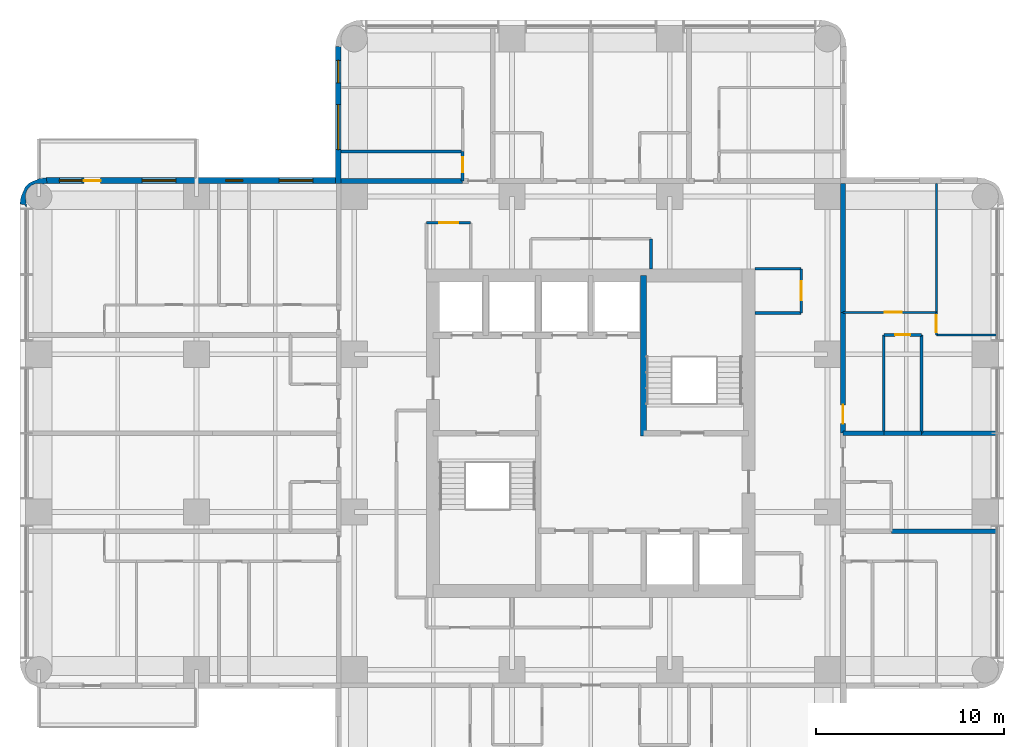
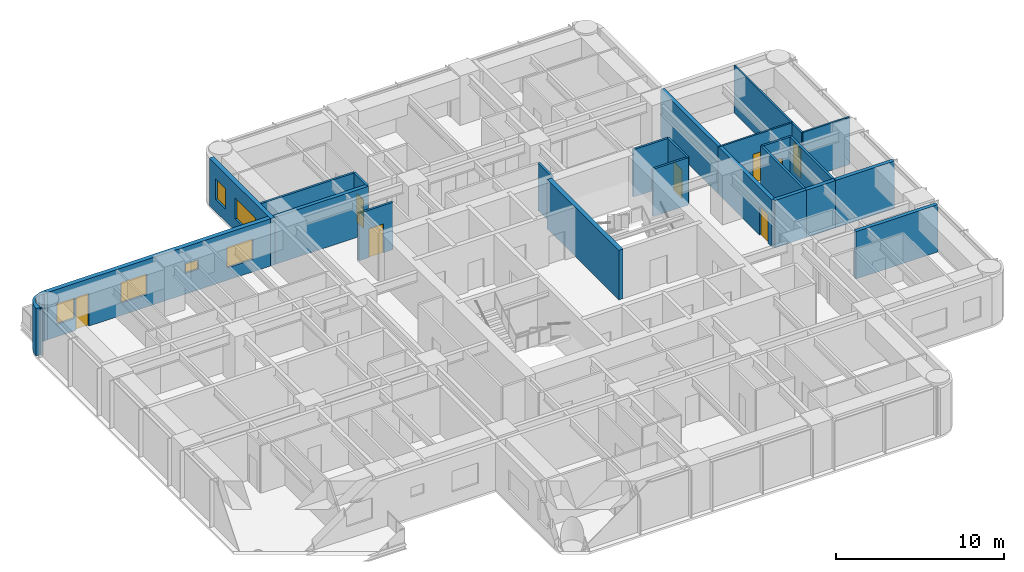
# One storey, part 8 of 11: 25 walls, 8 doors, 6 windows, 14 openings.
"""IFC4 building model written with IfcOpenShell, lengths in metres."""

from ifc_helpers import new_model, si_unit, direction, frame, frame_2d, origin, place, context, subcontext, project, spatial, polyline, rectangle, outline, extrude, material, layer, layer_set, type_object, element, fill, save


model = new_model("IFC4")

# Units and contexts
model_context = context("Model", 3, precision=1e-05, world=origin(), true_north=direction((0.0, 1.0)))
body_context = subcontext(model_context, "Body", "Model", "MODEL_VIEW")
ifc_project = project(units=[si_unit("LENGTHUNIT", "METRE"), si_unit("AREAUNIT", "SQUARE_METRE"), si_unit("VOLUMEUNIT", "CUBIC_METRE"), si_unit("PLANEANGLEUNIT", "RADIAN"), si_unit("MASSUNIT", "GRAM", prefix="KILO")], contexts=[model_context])

# Site, building, storey
site_placement = place(None, origin())
site = spatial("IfcSite", under=ifc_project, at=site_placement, CompositionType="ELEMENT")
building_placement = place(site_placement, origin())
building = spatial("IfcBuilding", under=site, at=building_placement, Name="Torre Alcanfor", CompositionType="ELEMENT")
storey_placement = place(building_placement, frame((0.0, 0.0, 219.300048828125)))
storey = spatial("IfcBuildingStorey", under=building, at=storey_placement, Name="L57", CompositionType="ELEMENT", Elevation=219.300048828125)

# Wall
ifc_material_1 = material(Name="Concrete block masonry, hollow blocks NMX-C-404 9 MPa", Category="masonry")
ifc_layer_1 = layer(ifc_material_1, 0.25)
ifc_layer_set_1 = layer_set([ifc_layer_1], Name="Apartment entrance wall 250 EI 60")
wall_type_1 = type_object("IfcWallType", Name="Apartment entrance wall 250 EI 60", PredefinedType="PARTITIONING", material=ifc_layer_set_1)
wall_1_placement = place(storey_placement, frame((16.10009765625, 42.824951171875, 0.0), z_axis=(0.0, 0.0, 1.0), x_axis=(1.0, 0.0, 0.0)))
element("IfcWall", 1, at=wall_1_placement, inside=storey, type_object=wall_type_1, Name="Partition L57-CORR / L57-N1B-BATH", PredefinedType="PARTITIONING", context=body_context, shape_type="SweptSolid", body=[
    extrude(rectangle(XDim=6.470947265625, YDim=0.25, at=frame_2d((3.2353515625, 0.0))), origin(), (0.0, 0.0, 1.0), 3.449951171875),
])

# Wall, opening, door
wall_2_placement = place(storey_placement, frame((42.824951171875, 35.8291015625, 0.0), z_axis=(0.0, 0.0, 1.0), x_axis=(0.0, -1.0, 0.0)))
wall_2 = element("IfcWall", 2, at=wall_2_placement, inside=storey, type_object=wall_type_1, Name="Partition L57-CORR / L57-E1-LIVING", PredefinedType="PARTITIONING", context=body_context, shape_type="SweptSolid", body=[
    extrude(rectangle(XDim=6.42919921875, YDim=0.25, at=frame_2d((3.214599609375, 0.0))), origin(), (0.0, 0.0, 1.0), 3.449951171875),
])
opening_1_placement = place(wall_2_placement, frame((4.928955078125, 0.0, 0.0)))
opening_1 = element("IfcOpeningElement", 3, at=opening_1_placement, cuts=wall_2, Name="Opening D-A1", PredefinedType="OPENING", context=body_context, shape_type="SweptSolid", body=[
    extrude(rectangle(XDim=1.0, YDim=2.10009765625, at=frame_2d((0.5, 1.050048828125))), frame((0.0, 0.135009765625, 0.0), z_axis=(0.0, -1.0, 0.0), x_axis=(1.0, 0.0, 0.0)), (0.0, 0.0, 1.0), 0.27001953125),
])
ifc_material_2 = material(Name="Galvanised steel sheet ASTM A653", Category="steel")
door_type_1 = type_object("IfcDoorType", Name="Apartment entrance door FD60 1000x2100", OperationType="SINGLE_SWING_LEFT", PredefinedType="DOOR", material=ifc_material_2)
door_1_placement = place(opening_1_placement, origin())
door_1 = element("IfcDoor", 4, at=door_1_placement, inside=storey, type_object=door_type_1, Name="Apartment entrance L57-E1", OperationType="SINGLE_SWING_RIGHT", OverallHeight=2.10009765625, OverallWidth=1.0, PredefinedType="DOOR", context=body_context, shape_type="SweptSolid", body=[
    extrude(rectangle(XDim=1.0, YDim=2.10009765625, at=frame_2d((0.5, 1.050048828125))), frame((0.0, 0.02490234375, 0.0), z_axis=(0.0, -1.0, 0.0), x_axis=(1.0, 0.0, 0.0)), (0.0, 0.0, 1.0), 0.050048828125),
])
fill(opening_1, door_1)

# Wall
wall_3_placement = place(storey_placement, frame((42.824951171875, 42.699951171875, 0.0), z_axis=(0.0, 0.0, 1.0), x_axis=(0.0, -1.0, 0.0)))
element("IfcWall", 5, at=wall_3_placement, inside=storey, type_object=wall_type_1, Name="Partition L57-CORR / L57-E1-BED2", PredefinedType="PARTITIONING", context=body_context, shape_type="SweptSolid", body=[
    extrude(rectangle(XDim=6.870849609375, YDim=0.25, at=frame_2d((3.435546875, 0.0))), origin(), (0.0, 0.0, 1.0), 3.449951171875),
])

# Wall, opening, door
ifc_material_3 = material(Name="Gypsum board on steel studs", Category="steel")
ifc_layer_2 = layer(ifc_material_3, 0.1201171875)
ifc_layer_set_2 = layer_set([ifc_layer_2], Name="Apartment partition 120")
wall_type_2 = type_object("IfcWallType", Name="Apartment partition 120", PredefinedType="PARTITIONING", material=ifc_layer_set_2)
wall_4_placement = place(storey_placement, frame((42.824951171875, 35.8291015625, 0.0), z_axis=(0.0, 0.0, 1.0), x_axis=(1.0, 0.0, 0.0)))
wall_4 = element("IfcWall", 6, at=wall_4_placement, inside=storey, type_object=wall_type_2, Name="Partition L57-E1-LIVING / L57-E1-BED2", PredefinedType="PARTITIONING", context=body_context, shape_type="SweptSolid", body=[
    extrude(rectangle(XDim=4.97509765625, YDim=0.1201171875, at=frame_2d((2.487548828125, 0.0))), origin(), (0.0, 0.0, 1.0), 3.449951171875),
])
opening_2_placement = place(wall_4_placement, frame((2.22509765625, 0.0, 0.0)))
opening_2 = element("IfcOpeningElement", 7, at=opening_2_placement, cuts=wall_4, Name="Opening D-R1", PredefinedType="OPENING", context=body_context, shape_type="SweptSolid", body=[
    extrude(rectangle(XDim=0.89990234375, YDim=2.10009765625, at=frame_2d((0.449951171875, 1.050048828125))), frame((0.0, 0.070068359375, 0.0), z_axis=(0.0, -1.0, 0.0), x_axis=(1.0, 0.0, 0.0)), (0.0, 0.0, 1.0), 0.14013671875),
])
ifc_material_4 = material(Name="Timber", Category="wood")
door_type_2 = type_object("IfcDoorType", Name="Internal door 900x2100", OperationType="SINGLE_SWING_LEFT", PredefinedType="DOOR", material=ifc_material_4)
door_2_placement = place(opening_2_placement, origin())
door_2 = element("IfcDoor", 8, at=door_2_placement, inside=storey, type_object=door_type_2, Name="Door L57-E1 bed2", OperationType="SINGLE_SWING_RIGHT", OverallHeight=2.10009765625, OverallWidth=0.89990234375, PredefinedType="DOOR", context=body_context, shape_type="SweptSolid", body=[
    extrude(rectangle(XDim=0.89990234375, YDim=2.10009765625, at=frame_2d((0.449951171875, 1.050048828125))), frame((0.0, 0.02490234375, 0.0), z_axis=(0.0, -1.0, 0.0), x_axis=(1.0, 0.0, 0.0)), (0.0, 0.0, 1.0), 0.050048828125),
])
fill(opening_2, door_2)

wall_5_placement = place(storey_placement, frame((47.800048828125, 35.8291015625, 0.0), z_axis=(0.0, 0.0, 1.0), x_axis=(0.0, -1.0, 0.0)))
wall_5 = element("IfcWall", 9, at=wall_5_placement, inside=storey, type_object=wall_type_2, Name="Partition L57-E1-LIVING / L57-E1-MASTER", PredefinedType="PARTITIONING", context=body_context, shape_type="SweptSolid", body=[
    extrude(rectangle(XDim=1.2001953125, YDim=0.1201171875, at=frame_2d((0.60009765625, 0.0))), origin(), (0.0, 0.0, 1.0), 3.449951171875),
])
opening_3_placement = place(wall_5_placement, frame((0.14892578125, 0.0, 0.0)))
opening_3 = element("IfcOpeningElement", 10, at=opening_3_placement, cuts=wall_5, Name="Opening D-R1", PredefinedType="OPENING", context=body_context, shape_type="SweptSolid", body=[
    extrude(rectangle(XDim=0.89990234375, YDim=2.10009765625, at=frame_2d((0.449951171875, 1.050048828125))), frame((0.0, 0.070068359375, 0.0), z_axis=(0.0, -1.0, 0.0), x_axis=(1.0, 0.0, 0.0)), (0.0, 0.0, 1.0), 0.14013671875),
])
door_3_placement = place(opening_3_placement, origin())
door_3 = element("IfcDoor", 11, at=door_3_placement, inside=storey, type_object=door_type_2, Name="Door L57-E1 master", OperationType="SINGLE_SWING_RIGHT", OverallHeight=2.10009765625, OverallWidth=0.89990234375, PredefinedType="DOOR", context=body_context, shape_type="SweptSolid", body=[
    extrude(rectangle(XDim=0.89990234375, YDim=2.10009765625, at=frame_2d((0.449951171875, 1.050048828125))), frame((0.0, 0.02490234375, 0.0), z_axis=(0.0, -1.0, 0.0), x_axis=(1.0, 0.0, 0.0)), (0.0, 0.0, 1.0), 0.050048828125),
])
fill(opening_3, door_3)

# Walls
wall_6_placement = place(storey_placement, frame((47.800048828125, 34.62890625, 0.0), z_axis=(0.0, 0.0, 1.0), x_axis=(1.0, 0.0, 0.0)))
element("IfcWall", 12, at=wall_6_placement, inside=storey, type_object=wall_type_2, Name="Partition L57-E1-LIVING / L57-E1-MASTER", PredefinedType="PARTITIONING", context=body_context, shape_type="SweptSolid", body=[
    extrude(rectangle(XDim=3.25, YDim=0.1201171875, at=frame_2d((1.625, 0.0))), origin(), (0.0, 0.0, 1.0), 3.449951171875),
])
wall_7_placement = place(storey_placement, frame((47.800048828125, 35.8291015625, 0.0), z_axis=(0.0, 0.0, 1.0), x_axis=(0.0, 1.0, 0.0)))
element("IfcWall", 13, at=wall_7_placement, inside=storey, type_object=wall_type_2, Name="Partition L57-E1-BED2 / L57-E1-MASTER", PredefinedType="PARTITIONING", context=body_context, shape_type="SweptSolid", body=[
    extrude(rectangle(XDim=6.870849609375, YDim=0.1201171875, at=frame_2d((3.435546875, 0.0))), origin(), (0.0, 0.0, 1.0), 3.449951171875),
])
ifc_material_5 = material(Name="Concrete f'c 70 MPa", Category="concrete")
ifc_layer_3 = layer(ifc_material_5, 0.300048828125)
ifc_layer_set_3 = layer_set([ifc_layer_3], Name="Core inner wall 300 f'c70")
wall_type_3 = type_object("IfcWallType", Name="Core inner wall 300 f'c70", PredefinedType="SHEAR", material=ifc_layer_set_3)
wall_8_placement = place(storey_placement, frame((32.199951171875, 29.25, 0.0), z_axis=(0.0, 0.0, 1.0), x_axis=(0.0, 1.0, 0.0)))
element("IfcWall", 14, at=wall_8_placement, inside=storey, type_object=wall_type_3, Name="Core wall X322N L57", PredefinedType="SHEAR", context=body_context, shape_type="SweptSolid", body=[
    extrude(rectangle(XDim=8.550048828125, YDim=0.300048828125, at=frame_2d((4.27490234375, 0.0))), origin(), (0.0, 0.0, 1.0), 3.599853515625),
])

# Wall, openings, door, windows
ifc_material_6 = material(Name="Limestone cladding", Category="masonry")
ifc_layer_4 = layer(ifc_material_6, 0.0400390625, Name="Facing")
ifc_material_7 = material(Name="Ventilated air cavity")
ifc_layer_5 = layer(ifc_material_7, 0.02001953125, ventilated=True, Name="Ventilated joint")
ifc_material_8 = material(Name="Mineral wool insulation", Category="insulation")
ifc_layer_6 = layer(ifc_material_8, 0.10009765625, Name="Insulation")
ifc_material_9 = material(Name="Concrete f'c 35 MPa", Category="concrete")
ifc_layer_7 = layer(ifc_material_9, 0.139892578125, Name="Backing")
ifc_layer_set_4 = layer_set([ifc_layer_4, ifc_layer_5, ifc_layer_6, ifc_layer_7], Name="External wall stone-clad 300")
wall_type_4 = type_object("IfcWallType", Name="External wall stone-clad 300", PredefinedType="SOLIDWALL", material=ifc_layer_set_4)
wall_9_placement = place(storey_placement, frame((15.800048828125, 42.85009765625, 0.0), z_axis=(0.0, 0.0, 1.0), x_axis=(-1.0, 0.0, 0.0)))
wall_9 = element("IfcWall", 15, at=wall_9_placement, inside=storey, type_object=wall_type_4, Name="External wall L57 1", PredefinedType="SOLIDWALL", context=body_context, shape_type="SweptSolid", body=[
    extrude(rectangle(XDim=15.400146484375, YDim=0.300048828125, at=frame_2d((7.7001953125, 0.0))), origin(), (0.0, 0.0, 1.0), 3.449951171875),
])
opening_4_placement = place(wall_9_placement, frame((1.199951171875, 0.0, 0.89990234375)))
opening_4 = element("IfcOpeningElement", 16, at=opening_4_placement, cuts=wall_9, Name="Opening W2", PredefinedType="OPENING", context=body_context, shape_type="SweptSolid", body=[
    extrude(rectangle(XDim=1.800048828125, YDim=1.5, at=frame_2d((0.89990234375, 0.75))), frame((0.0, 0.159912109375, 0.0), z_axis=(0.0, -1.0, 0.0), x_axis=(1.0, 0.0, 0.0)), (0.0, 0.0, 1.0), 0.320068359375),
])
opening_5_placement = place(wall_9_placement, frame((4.949951171875, 0.0, 1.5)))
opening_5 = element("IfcOpeningElement", 17, at=opening_5_placement, cuts=wall_9, Name="Opening W3", PredefinedType="OPENING", context=body_context, shape_type="SweptSolid", body=[
    extrude(rectangle(XDim=0.89990234375, YDim=0.699951171875, at=frame_2d((0.449951171875, 0.35009765625))), frame((0.0, 0.159912109375, 0.0), z_axis=(0.0, -1.0, 0.0), x_axis=(1.0, 0.0, 0.0)), (0.0, 0.0, 1.0), 0.320068359375),
])
opening_6_placement = place(wall_9_placement, frame((8.5, 0.0, 0.89990234375)))
opening_6 = element("IfcOpeningElement", 18, at=opening_6_placement, cuts=wall_9, Name="Opening W2", PredefinedType="OPENING", context=body_context, shape_type="SweptSolid", body=[
    extrude(rectangle(XDim=1.800048828125, YDim=1.5, at=frame_2d((0.89990234375, 0.75))), frame((0.0, 0.159912109375, 0.0), z_axis=(0.0, -1.0, 0.0), x_axis=(1.0, 0.0, 0.0)), (0.0, 0.0, 1.0), 0.320068359375),
])
opening_7_placement = place(wall_9_placement, frame((12.5, 0.0, 0.0)))
opening_7 = element("IfcOpeningElement", 19, at=opening_7_placement, cuts=wall_9, Name="Opening D-B1", PredefinedType="OPENING", context=body_context, shape_type="SweptSolid", body=[
    extrude(rectangle(XDim=0.89990234375, YDim=2.39990234375, at=frame_2d((0.449951171875, 1.199951171875))), frame((0.0, 0.159912109375, 0.0), z_axis=(0.0, -1.0, 0.0), x_axis=(1.0, 0.0, 0.0)), (0.0, 0.0, 1.0), 0.320068359375),
])
opening_8_placement = place(wall_9_placement, frame((13.5, 0.0, 0.89990234375)))
opening_8 = element("IfcOpeningElement", 20, at=opening_8_placement, cuts=wall_9, Name="Opening W4", PredefinedType="OPENING", context=body_context, shape_type="SweptSolid", body=[
    extrude(rectangle(XDim=1.199951171875, YDim=1.5, at=frame_2d((0.60009765625, 0.75))), frame((0.0, 0.159912109375, 0.0), z_axis=(0.0, -1.0, 0.0), x_axis=(1.0, 0.0, 0.0)), (0.0, 0.0, 1.0), 0.320068359375),
])
ifc_material_10 = material(Name="Aluminium and glass", Category="aluminium")
door_type_3 = type_object("IfcDoorType", Name="Balcony door glazed 900x2400", OperationType="SINGLE_SWING_LEFT", PredefinedType="DOOR", material=ifc_material_10)
door_4_placement = place(opening_7_placement, origin())
door_4 = element("IfcDoor", 21, at=door_4_placement, inside=storey, type_object=door_type_3, Name="Balcony door L57-W2", OperationType="SINGLE_SWING_LEFT", OverallHeight=2.39990234375, OverallWidth=0.89990234375, PredefinedType="DOOR", context=body_context, shape_type="SweptSolid", body=[
    extrude(rectangle(XDim=0.89990234375, YDim=2.39990234375, at=frame_2d((0.449951171875, 1.199951171875))), frame((0.0, 0.02490234375, 0.0), z_axis=(0.0, -1.0, 0.0), x_axis=(1.0, 0.0, 0.0)), (0.0, 0.0, 1.0), 0.050048828125),
])
fill(opening_7, door_4)
ifc_material_11 = material(Name="Aluminium frame with clear double glazing", Category="aluminium")
window_type_1 = type_object("IfcWindowType", Name="Window bathroom 900x700", PartitioningType="SINGLE_PANEL", PredefinedType="WINDOW", material=ifc_material_11)
window_1_placement = place(opening_5_placement, origin())
window_1 = element("IfcWindow", 22, at=window_1_placement, inside=storey, type_object=window_type_1, Name="Window W3 L57-W2", OverallHeight=0.699951171875, OverallWidth=0.89990234375, PartitioningType="SINGLE_PANEL", PredefinedType="WINDOW", context=body_context, shape_type="SweptSolid", body=[
    extrude(rectangle(XDim=0.89990234375, YDim=0.699951171875, at=frame_2d((0.449951171875, 0.35009765625))), frame((0.0, 0.030029296875, 0.0), z_axis=(0.0, -1.0, 0.0), x_axis=(1.0, 0.0, 0.0)), (0.0, 0.0, 1.0), 0.06005859375),
])
fill(opening_5, window_1)
ifc_material_12 = material(Name="Aluminium frame with clear double glazing", Category="aluminium")
window_type_2 = type_object("IfcWindowType", Name="Window bedroom 1200x1500", PartitioningType="SINGLE_PANEL", PredefinedType="WINDOW", material=ifc_material_12)
window_2_placement = place(opening_8_placement, origin())
window_2 = element("IfcWindow", 23, at=window_2_placement, inside=storey, type_object=window_type_2, Name="Window W4 L57-W2", OverallHeight=1.5, OverallWidth=1.199951171875, PartitioningType="SINGLE_PANEL", PredefinedType="WINDOW", context=body_context, shape_type="SweptSolid", body=[
    extrude(rectangle(XDim=1.199951171875, YDim=1.5, at=frame_2d((0.60009765625, 0.75))), frame((0.0, 0.030029296875, 0.0), z_axis=(0.0, -1.0, 0.0), x_axis=(1.0, 0.0, 0.0)), (0.0, 0.0, 1.0), 0.06005859375),
])
fill(opening_8, window_2)
ifc_material_13 = material(Name="Aluminium frame with clear double glazing", Category="aluminium")
window_type_3 = type_object("IfcWindowType", Name="Window bedroom 1800x1500", PartitioningType="SINGLE_PANEL", PredefinedType="WINDOW", material=ifc_material_13)
window_3_placement = place(opening_4_placement, origin())
window_3 = element("IfcWindow", 24, at=window_3_placement, inside=storey, type_object=window_type_3, Name="Window W2 L57-W2", OverallHeight=1.5, OverallWidth=1.800048828125, PartitioningType="SINGLE_PANEL", PredefinedType="WINDOW", context=body_context, shape_type="SweptSolid", body=[
    extrude(rectangle(XDim=1.800048828125, YDim=1.5, at=frame_2d((0.89990234375, 0.75))), frame((0.0, 0.030029296875, 0.0), z_axis=(0.0, -1.0, 0.0), x_axis=(1.0, 0.0, 0.0)), (0.0, 0.0, 1.0), 0.06005859375),
])
fill(opening_4, window_3)
window_4_placement = place(opening_6_placement, origin())
window_4 = element("IfcWindow", 25, at=window_4_placement, inside=storey, type_object=window_type_3, Name="Window W2 L57-W2", OverallHeight=1.5, OverallWidth=1.800048828125, PartitioningType="SINGLE_PANEL", PredefinedType="WINDOW", context=body_context, shape_type="SweptSolid", body=[
    extrude(rectangle(XDim=1.800048828125, YDim=1.5, at=frame_2d((0.89990234375, 0.75))), frame((0.0, 0.030029296875, 0.0), z_axis=(0.0, -1.0, 0.0), x_axis=(1.0, 0.0, 0.0)), (0.0, 0.0, 1.0), 0.06005859375),
])
fill(opening_6, window_4)

# Wall, openings, windows
wall_10_placement = place(storey_placement, frame((15.949951171875, 50.0, 0.0), z_axis=(0.0, 0.0, 1.0), x_axis=(0.0, -1.0, 0.0)))
wall_10 = element("IfcWall", 26, at=wall_10_placement, inside=storey, type_object=wall_type_4, Name="External wall L57 12", PredefinedType="SOLIDWALL", context=body_context, shape_type="SweptSolid", body=[
    extrude(rectangle(XDim=7.300048828125, YDim=0.300048828125, at=frame_2d((3.64990234375, 0.0))), origin(), (0.0, 0.0, 1.0), 3.449951171875),
])
opening_9_placement = place(wall_10_placement, frame((3.10009765625, 0.0, 0.89990234375)))
opening_9 = element("IfcOpeningElement", 27, at=opening_9_placement, cuts=wall_10, Name="Opening W1", PredefinedType="OPENING", context=body_context, shape_type="SweptSolid", body=[
    extrude(rectangle(XDim=2.39990234375, YDim=1.5, at=frame_2d((1.199951171875, 0.75))), frame((0.0, 0.159912109375, 0.0), z_axis=(0.0, -1.0, 0.0), x_axis=(1.0, 0.0, 0.0)), (0.0, 0.0, 1.0), 0.320068359375),
])
opening_10_placement = place(wall_10_placement, frame((0.75, 0.0, 0.89990234375)))
opening_10 = element("IfcOpeningElement", 28, at=opening_10_placement, cuts=wall_10, Name="Opening W4", PredefinedType="OPENING", context=body_context, shape_type="SweptSolid", body=[
    extrude(rectangle(XDim=1.199951171875, YDim=1.5, at=frame_2d((0.60009765625, 0.75))), frame((0.0, 0.159912109375, 0.0), z_axis=(0.0, -1.0, 0.0), x_axis=(1.0, 0.0, 0.0)), (0.0, 0.0, 1.0), 0.320068359375),
])
window_5_placement = place(opening_10_placement, origin())
window_5 = element("IfcWindow", 29, at=window_5_placement, inside=storey, type_object=window_type_2, Name="Window W4 L57-N1", OverallHeight=1.5, OverallWidth=1.199951171875, PartitioningType="SINGLE_PANEL", PredefinedType="WINDOW", context=body_context, shape_type="SweptSolid", body=[
    extrude(rectangle(XDim=1.199951171875, YDim=1.5, at=frame_2d((0.60009765625, 0.75))), frame((0.0, 0.030029296875, 0.0), z_axis=(0.0, -1.0, 0.0), x_axis=(1.0, 0.0, 0.0)), (0.0, 0.0, 1.0), 0.06005859375),
])
fill(opening_10, window_5)
ifc_material_14 = material(Name="Aluminium frame with clear double glazing", Category="aluminium")
window_type_4 = type_object("IfcWindowType", Name="Window bedroom 2400x1500", PartitioningType="SINGLE_PANEL", PredefinedType="WINDOW", material=ifc_material_14)
window_6_placement = place(opening_9_placement, origin())
window_6 = element("IfcWindow", 30, at=window_6_placement, inside=storey, type_object=window_type_4, Name="Window W1 L57-N1", OverallHeight=1.5, OverallWidth=2.39990234375, PartitioningType="SINGLE_PANEL", PredefinedType="WINDOW", context=body_context, shape_type="SweptSolid", body=[
    extrude(rectangle(XDim=2.39990234375, YDim=1.5, at=frame_2d((1.199951171875, 0.75))), frame((0.0, 0.030029296875, 0.0), z_axis=(0.0, -1.0, 0.0), x_axis=(1.0, 0.0, 0.0)), (0.0, 0.0, 1.0), 0.06005859375),
])
fill(opening_9, window_6)

# Walls
ifc_material_15 = material(Name="Concrete block masonry, hollow blocks NMX-C-404 9 MPa", Category="masonry")
ifc_layer_8 = layer(ifc_material_15, 0.25)
ifc_layer_set_5 = layer_set([ifc_layer_8], Name="Party wall 250 EI 60")
wall_type_5 = type_object("IfcWallType", Name="Party wall 250 EI 60", PredefinedType="PARTITIONING", material=ifc_layer_set_5)
wall_11_placement = place(storey_placement, frame((45.0, 29.39990234375, 0.0), z_axis=(0.0, 0.0, 1.0), x_axis=(1.0, 0.0, 0.0)))
element("IfcWall", 31, at=wall_11_placement, inside=storey, type_object=wall_type_5, Name="Partition L57-E1-BATH / L57-E2A-STUDIO", PredefinedType="PARTITIONING", context=body_context, shape_type="SweptSolid", body=[
    extrude(rectangle(XDim=2.0, YDim=0.25, at=frame_2d((1.0, 0.0))), origin(), (0.0, 0.0, 1.0), 3.449951171875),
])
wall_12_placement = place(storey_placement, frame((45.0, 29.39990234375, 0.0), z_axis=(0.0, 0.0, 1.0), x_axis=(-1.0, 0.0, 0.0)))
element("IfcWall", 32, at=wall_12_placement, inside=storey, type_object=wall_type_5, Name="Partition L57-E1-LIVING / L57-E2A-STUDIO", PredefinedType="PARTITIONING", context=body_context, shape_type="SweptSolid", body=[
    extrude(rectangle(XDim=2.175048828125, YDim=0.25, at=frame_2d((1.08740234375, 0.0))), origin(), (0.0, 0.0, 1.0), 3.449951171875),
])
wall_13_placement = place(storey_placement, frame((51.050048828125, 29.39990234375, 0.0), z_axis=(0.0, 0.0, 1.0), x_axis=(-1.0, 0.0, 0.0)))
element("IfcWall", 33, at=wall_13_placement, inside=storey, type_object=wall_type_5, Name="Partition L57-E1-LIVING / L57-E2A-STUDIO", PredefinedType="PARTITIONING", context=body_context, shape_type="SweptSolid", body=[
    extrude(rectangle(XDim=4.050048828125, YDim=0.25, at=frame_2d((2.02490234375, 0.0))), origin(), (0.0, 0.0, 1.0), 3.449951171875),
])
wall_14_placement = place(storey_placement, frame((51.050048828125, 24.1708984375, 0.0), z_axis=(0.0, 0.0, 1.0), x_axis=(-1.0, 0.0, 0.0)))
element("IfcWall", 34, at=wall_14_placement, inside=storey, type_object=wall_type_5, Name="Partition L57-E2A-STUDIO / L57-E2B-LIVING", PredefinedType="PARTITIONING", context=body_context, shape_type="SweptSolid", body=[
    extrude(rectangle(XDim=5.650146484375, YDim=0.25, at=frame_2d((2.8251953125, 0.0))), origin(), (0.0, 0.0, 1.0), 3.449951171875),
])

# Wall, opening, door
ifc_material_16 = material(Name="Concrete block masonry, hollow blocks NMX-C-404 9 MPa", Category="masonry")
ifc_layer_9 = layer(ifc_material_16, 0.14990234375)
ifc_layer_set_6 = layer_set([ifc_layer_9], Name="Residents' room partition 150")
wall_type_6 = type_object("IfcWallType", Name="Residents' room partition 150", PredefinedType="PARTITIONING", material=ifc_layer_set_6)
wall_15_placement = place(storey_placement, frame((23.0, 40.60009765625, 0.0), z_axis=(0.0, 0.0, 1.0), x_axis=(-1.0, 0.0, 0.0)))
wall_15 = element("IfcWall", 35, at=wall_15_placement, inside=storey, type_object=wall_type_6, Name="Partition L57-CORR / L57-G01", PredefinedType="PARTITIONING", context=body_context, shape_type="SweptSolid", body=[
    extrude(rectangle(XDim=2.35009765625, YDim=0.14990234375, at=frame_2d((1.175048828125, 0.0))), origin(), (0.0, 0.0, 1.0), 3.449951171875),
])
opening_11_placement = place(wall_15_placement, frame((0.675048828125, 0.0, 0.0)))
opening_11 = element("IfcOpeningElement", 36, at=opening_11_placement, cuts=wall_15, Name="Opening D-M1", PredefinedType="OPENING", context=body_context, shape_type="SweptSolid", body=[
    extrude(rectangle(XDim=1.0, YDim=2.10009765625, at=frame_2d((0.5, 1.050048828125))), frame((0.0, 0.0849609375, 0.0), z_axis=(0.0, -1.0, 0.0), x_axis=(1.0, 0.0, 0.0)), (0.0, 0.0, 1.0), 0.169921875),
])
ifc_material_17 = material(Name="Timber", Category="wood")
door_type_4 = type_object("IfcDoorType", Name="Residents' room door 1000x2100", OperationType="SINGLE_SWING_LEFT", PredefinedType="DOOR", material=ifc_material_17)
door_5_placement = place(opening_11_placement, origin())
door_5 = element("IfcDoor", 37, at=door_5_placement, inside=storey, type_object=door_type_4, Name="Door L57-G01 cleaners' store", OperationType="SINGLE_SWING_LEFT", OverallHeight=2.10009765625, OverallWidth=1.0, PredefinedType="DOOR", context=body_context, shape_type="SweptSolid", body=[
    extrude(rectangle(XDim=1.0, YDim=2.10009765625, at=frame_2d((0.5, 1.050048828125))), frame((0.0, 0.02490234375, 0.0), z_axis=(0.0, -1.0, 0.0), x_axis=(1.0, 0.0, 0.0)), (0.0, 0.0, 1.0), 0.050048828125),
])
fill(opening_11, door_5)

# Walls
wall_16_placement = place(storey_placement, frame((32.60009765625, 38.14990234375, 0.0), z_axis=(0.0, 0.0, 1.0), x_axis=(0.0, 1.0, 0.0)))
element("IfcWall", 38, at=wall_16_placement, inside=storey, type_object=wall_type_6, Name="Partition L57-CORR / L57-G02", PredefinedType="PARTITIONING", context=body_context, shape_type="SweptSolid", body=[
    extrude(rectangle(XDim=1.60009765625, YDim=0.14990234375, at=frame_2d((0.800048828125, 0.0))), origin(), (0.0, 0.0, 1.0), 3.449951171875),
])
wall_17_placement = place(storey_placement, frame((38.14990234375, 35.800048828125, 0.0), z_axis=(0.0, 0.0, 1.0), x_axis=(1.0, 0.0, 0.0)))
element("IfcWall", 39, at=wall_17_placement, inside=storey, type_object=wall_type_6, Name="Partition L57-CORR / L57-G04", PredefinedType="PARTITIONING", context=body_context, shape_type="SweptSolid", body=[
    extrude(rectangle(XDim=2.4501953125, YDim=0.14990234375, at=frame_2d((1.22509765625, 0.0))), origin(), (0.0, 0.0, 1.0), 3.449951171875),
])

# Wall, opening, door
wall_18_placement = place(storey_placement, frame((40.60009765625, 35.800048828125, 0.0), z_axis=(0.0, 0.0, 1.0), x_axis=(0.0, 1.0, 0.0)))
wall_18 = element("IfcWall", 40, at=wall_18_placement, inside=storey, type_object=wall_type_6, Name="Partition L57-CORR / L57-G04", PredefinedType="PARTITIONING", context=body_context, shape_type="SweptSolid", body=[
    extrude(rectangle(XDim=2.349853515625, YDim=0.14990234375, at=frame_2d((1.1748046875, 0.0))), origin(), (0.0, 0.0, 1.0), 3.449951171875),
])
opening_12_placement = place(wall_18_placement, frame((0.675048828125, 0.0, 0.0)))
opening_12 = element("IfcOpeningElement", 41, at=opening_12_placement, cuts=wall_18, Name="Opening D-M1", PredefinedType="OPENING", context=body_context, shape_type="SweptSolid", body=[
    extrude(rectangle(XDim=1.0, YDim=2.10009765625, at=frame_2d((0.5, 1.050048828125))), frame((0.0, 0.0849609375, 0.0), z_axis=(0.0, -1.0, 0.0), x_axis=(1.0, 0.0, 0.0)), (0.0, 0.0, 1.0), 0.169921875),
])
door_6_placement = place(opening_12_placement, origin())
door_6 = element("IfcDoor", 42, at=door_6_placement, inside=storey, type_object=door_type_4, Name="Door L57-G04 residents' lockers", OperationType="SINGLE_SWING_LEFT", OverallHeight=2.10009765625, OverallWidth=1.0, PredefinedType="DOOR", context=body_context, shape_type="SweptSolid", body=[
    extrude(rectangle(XDim=1.0, YDim=2.10009765625, at=frame_2d((0.5, 1.050048828125))), frame((0.0, 0.02490234375, 0.0), z_axis=(0.0, -1.0, 0.0), x_axis=(1.0, 0.0, 0.0)), (0.0, 0.0, 1.0), 0.050048828125),
])
fill(opening_12, door_6)

# Walls
wall_19_placement = place(storey_placement, frame((40.60009765625, 38.14990234375, 0.0), z_axis=(0.0, 0.0, 1.0), x_axis=(-1.0, 0.0, 0.0)))
element("IfcWall", 43, at=wall_19_placement, inside=storey, type_object=wall_type_6, Name="Partition L57-CORR / L57-G04", PredefinedType="PARTITIONING", context=body_context, shape_type="SweptSolid", body=[
    extrude(rectangle(XDim=2.4501953125, YDim=0.14990234375, at=frame_2d((1.22509765625, 0.0))), origin(), (0.0, 0.0, 1.0), 3.449951171875),
])
ifc_layer_10 = layer(ifc_material_6, 0.0400390625, Name="Facing")
ifc_layer_11 = layer(ifc_material_7, 0.02001953125, ventilated=True, Name="Ventilated joint")
ifc_layer_12 = layer(ifc_material_8, 0.10009765625, Name="Insulation")
ifc_layer_13 = layer(ifc_material_9, 0.139892578125, Name="Backing")
ifc_layer_set_7 = layer_set([ifc_layer_10, ifc_layer_11, ifc_layer_12, ifc_layer_13], Name="Rounded corner pier stone-clad 300")
wall_type_7 = type_object("IfcWallType", Name="Rounded corner pier stone-clad 300", PredefinedType="SOLIDWALL", material=ifc_layer_set_7)
wall_20_placement = place(storey_placement, frame((0.289684728, 42.724211819, 0.0), z_axis=(0.0, 0.0, 1.0), x_axis=(-0.898030234854, 0.439933741929, 0.0)))
element("IfcWall", 44, at=wall_20_placement, inside=storey, type_object=wall_type_7, Name="Corner pier L57 13", PredefinedType="SOLIDWALL", context=body_context, shape_type="SweptSolid", body=[
    extrude(outline(polyline([(-0.1451696260029872, -0.04410137667948781), (0.022349775089968618, -0.29615457307685267), (0.3267662274453961, -0.09401161193946184), (0.5684395137438579, 0.1801582341686725), (0.5775438768187978, 0.19875519044837203), (0.6998681881563861, 0.337520421761322), (0.8105897526086489, 0.6609052696654318), (0.798987005723323, 0.8455248862565916), (0.8031915983754734, 0.8657994419976891), (0.7802772818432999, 1.230559659021311), (0.6636401292003462, 1.5768643338748296), (0.426274926498842, 1.4970116570996908), (0.3818262033461368, 1.5361339555879763), (0.27609856791259557, 1.5721508582913652), (0.34924184873618547, 1.4228445619203098), (0.3919947529834039, 1.4437886731693554), (0.4531844604451624, 1.2611683721887113), (0.5096660727895201, 1.2113572307370708), (0.632323380719828, 0.9609786838123349), (0.6499334439144826, 0.6825189735513317), (0.5596785928912745, 0.41891132480525434), (0.37509146330548054, 0.2096805523179385), (0.12471291638074464, 0.0870232443876307), (0.04955403003282338, 0.08228360846554762), (-0.12741072731568104, -0.035401515083730434), (-0.1451696260029872, -0.04410137667948781)])), origin(), (0.0, 0.0, 1.0), 3.449951171875),
])

# Wall, opening, door
ifc_material_18 = material(Name="Cement board on steel studs", Category="steel")
ifc_layer_14 = layer(ifc_material_18, 0.14990234375)
ifc_layer_set_8 = layer_set([ifc_layer_14], Name="Wet area partition 150")
wall_type_8 = type_object("IfcWallType", Name="Wet area partition 150", PredefinedType="PARTITIONING", material=ifc_layer_set_8)
wall_21_placement = place(storey_placement, frame((22.571044921875, 42.824951171875, 0.0), z_axis=(0.0, 0.0, 1.0), x_axis=(0.0, 1.0, 0.0)))
wall_21 = element("IfcWall", 45, at=wall_21_placement, inside=storey, type_object=wall_type_8, Name="Partition L57-N1B-LIVING / L57-N1B-BATH", PredefinedType="PARTITIONING", context=body_context, shape_type="SweptSolid", body=[
    extrude(rectangle(XDim=1.574951171875, YDim=0.14990234375, at=frame_2d((0.78759765625, 0.0))), origin(), (0.0, 0.0, 1.0), 3.449951171875),
])
opening_13_placement = place(wall_21_placement, frame((0.47509765625, 0.0, 0.0)))
opening_13 = element("IfcOpeningElement", 46, at=opening_13_placement, cuts=wall_21, Name="Opening D-R2", PredefinedType="OPENING", context=body_context, shape_type="SweptSolid", body=[
    extrude(rectangle(XDim=0.800048828125, YDim=2.10009765625, at=frame_2d((0.39990234375, 1.050048828125))), frame((0.0, 0.0849609375, 0.0), z_axis=(0.0, -1.0, 0.0), x_axis=(1.0, 0.0, 0.0)), (0.0, 0.0, 1.0), 0.169921875),
])
ifc_material_19 = material(Name="Timber", Category="wood")
door_type_5 = type_object("IfcDoorType", Name="Bathroom door 800x2100", OperationType="SINGLE_SWING_LEFT", PredefinedType="DOOR", material=ifc_material_19)
door_7_placement = place(opening_13_placement, origin())
door_7 = element("IfcDoor", 47, at=door_7_placement, inside=storey, type_object=door_type_5, Name="Door L57-N1B bath", OperationType="SINGLE_SWING_RIGHT", OverallHeight=2.10009765625, OverallWidth=0.800048828125, PredefinedType="DOOR", context=body_context, shape_type="SweptSolid", body=[
    extrude(rectangle(XDim=0.800048828125, YDim=2.10009765625, at=frame_2d((0.39990234375, 1.050048828125))), frame((0.0, 0.02490234375, 0.0), z_axis=(0.0, -1.0, 0.0), x_axis=(1.0, 0.0, 0.0)), (0.0, 0.0, 1.0), 0.050048828125),
])
fill(opening_13, door_7)

# Walls
wall_22_placement = place(storey_placement, frame((22.571044921875, 44.39990234375, 0.0), z_axis=(0.0, 0.0, 1.0), x_axis=(-1.0, 0.0, 0.0)))
element("IfcWall", 48, at=wall_22_placement, inside=storey, type_object=wall_type_8, Name="Partition L57-N1B-BATH / L57-N1B-MASTER", PredefinedType="PARTITIONING", context=body_context, shape_type="SweptSolid", body=[
    extrude(rectangle(XDim=6.470947265625, YDim=0.14990234375, at=frame_2d((3.2353515625, 0.0))), origin(), (0.0, 0.0, 1.0), 3.449951171875),
])
wall_23_placement = place(storey_placement, frame((47.0, 29.39990234375, 0.0), z_axis=(0.0, 0.0, 1.0), x_axis=(0.0, 1.0, 0.0)))
element("IfcWall", 49, at=wall_23_placement, inside=storey, type_object=wall_type_8, Name="Partition L57-E1-BATH / L57-E1-LIVING", PredefinedType="PARTITIONING", context=body_context, shape_type="SweptSolid", body=[
    extrude(rectangle(XDim=5.22900390625, YDim=0.14990234375, at=frame_2d((2.614501953125, 0.0))), origin(), (0.0, 0.0, 1.0), 3.449951171875),
])

# Wall, opening, door
wall_24_placement = place(storey_placement, frame((47.0, 34.62890625, 0.0), z_axis=(0.0, 0.0, 1.0), x_axis=(-1.0, 0.0, 0.0)))
wall_24 = element("IfcWall", 50, at=wall_24_placement, inside=storey, type_object=wall_type_8, Name="Partition L57-E1-BATH / L57-E1-LIVING", PredefinedType="PARTITIONING", context=body_context, shape_type="SweptSolid", body=[
    extrude(rectangle(XDim=2.0, YDim=0.14990234375, at=frame_2d((1.0, 0.0))), origin(), (0.0, 0.0, 1.0), 3.449951171875),
])
opening_14_placement = place(wall_24_placement, frame((0.60009765625, 0.0, 0.0)))
opening_14 = element("IfcOpeningElement", 51, at=opening_14_placement, cuts=wall_24, Name="Opening D-R2", PredefinedType="OPENING", context=body_context, shape_type="SweptSolid", body=[
    extrude(rectangle(XDim=0.800048828125, YDim=2.10009765625, at=frame_2d((0.39990234375, 1.050048828125))), frame((0.0, 0.0849609375, 0.0), z_axis=(0.0, -1.0, 0.0), x_axis=(1.0, 0.0, 0.0)), (0.0, 0.0, 1.0), 0.169921875),
])
door_8_placement = place(opening_14_placement, origin())
door_8 = element("IfcDoor", 52, at=door_8_placement, inside=storey, type_object=door_type_5, Name="Door L57-E1 bath", OperationType="SINGLE_SWING_LEFT", OverallHeight=2.10009765625, OverallWidth=0.800048828125, PredefinedType="DOOR", context=body_context, shape_type="SweptSolid", body=[
    extrude(rectangle(XDim=0.800048828125, YDim=2.10009765625, at=frame_2d((0.39990234375, 1.050048828125))), frame((0.0, 0.02490234375, 0.0), z_axis=(0.0, -1.0, 0.0), x_axis=(1.0, 0.0, 0.0)), (0.0, 0.0, 1.0), 0.050048828125),
])
fill(opening_14, door_8)

# Wall
wall_25_placement = place(storey_placement, frame((45.0, 34.62890625, 0.0), z_axis=(0.0, 0.0, 1.0), x_axis=(0.0, -1.0, 0.0)))
element("IfcWall", 53, at=wall_25_placement, inside=storey, type_object=wall_type_8, Name="Partition L57-E1-BATH / L57-E1-LIVING", PredefinedType="PARTITIONING", context=body_context, shape_type="SweptSolid", body=[
    extrude(rectangle(XDim=5.22900390625, YDim=0.14990234375, at=frame_2d((2.614501953125, 0.0))), origin(), (0.0, 0.0, 1.0), 3.449951171875),
])

save(model, "model.ifc")
